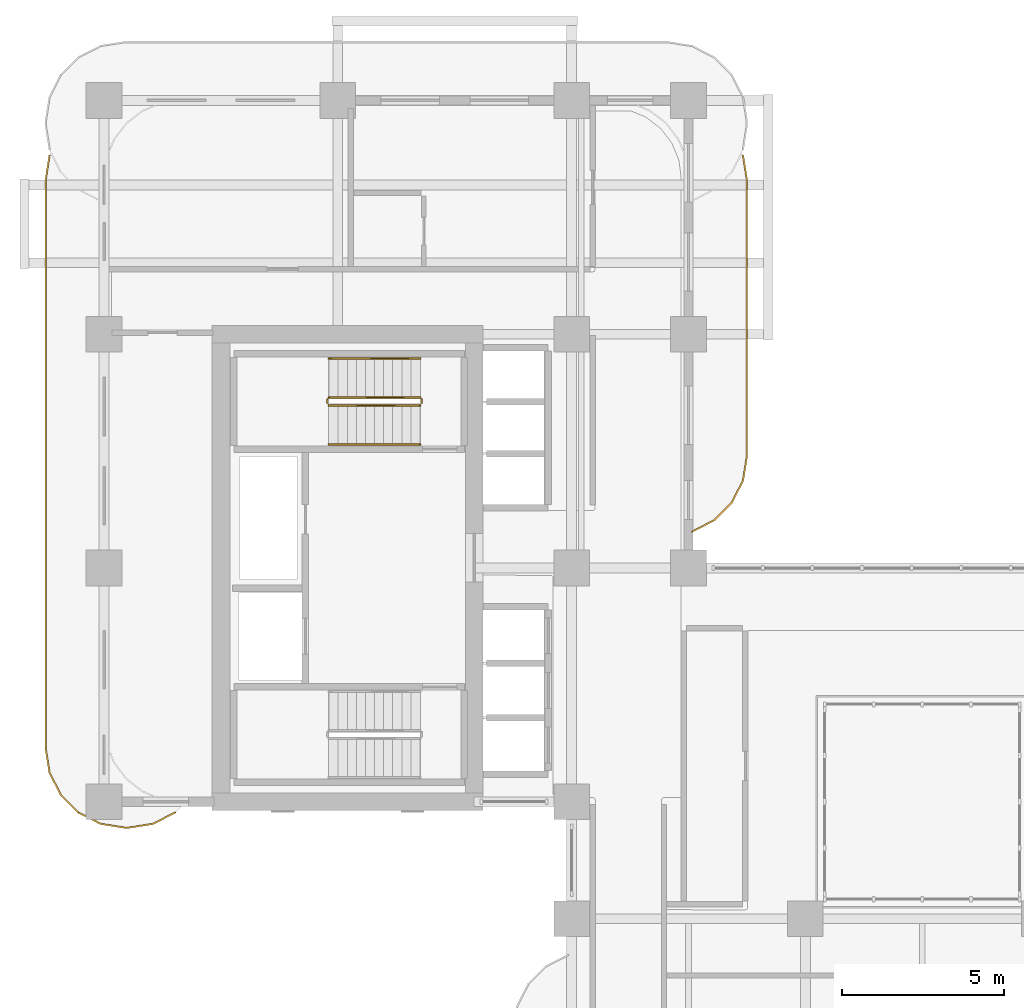
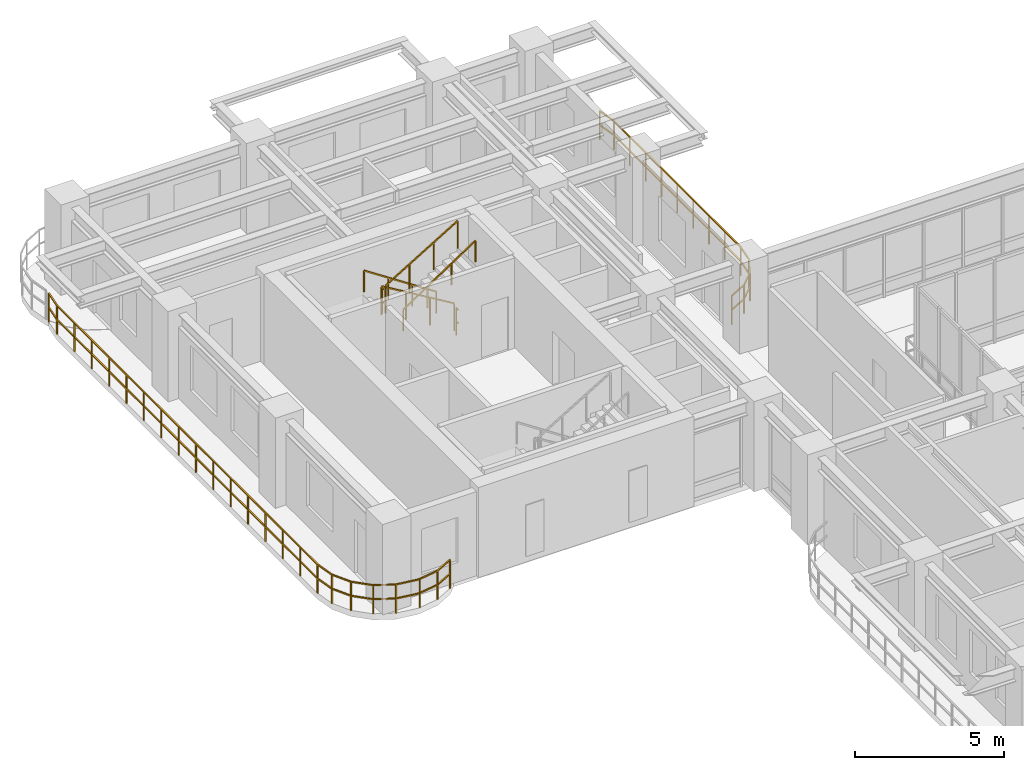
# One storey, part 21 of 22: 8 railings.
"""IFC4 building model written with IfcOpenShell, lengths in metres."""

import ifcopenshell
import ifcopenshell.guid

model = None  # the IFC model being written
_history = None  # IfcOwnerHistory: only IFC2X3 demands one
_inside = {}  # id of a spatial element -> (the spatial element, [elements in it])
_under = {}  # id of a project, library or spatial element -> (it, [spatial elements below it])
_declared = {}  # id of a project -> (the project, [libraries it declares])
_typed = {}  # id of a type object -> (the type object, [elements of that type])
_made_of = {}  # id of a material, layer set ... -> (it, [elements and type objects made of it])


def new_model(schema):
    """Start an empty IFC model of exactly this schema.

    Asked for "IFC4X3", IfcOpenShell would pick the latest addendum, in which some entities
    have other attributes; the version numbers below select the first issue.
    IFC2X3 requires an IfcOwnerHistory on every rooted entity: one is made here for all.
    """
    global model, _history
    if schema == "IFC4X3":
        model = ifcopenshell.file(schema_version=(4, 3, 0, 0))
    else:
        model = ifcopenshell.file(schema=schema)
    _inside.clear()
    _under.clear()
    _declared.clear()
    _typed.clear()
    _made_of.clear()
    _history = None
    if model.schema == "IFC2X3":
        org = make("IfcOrganization", Name="unknown")
        user = make(
            "IfcPersonAndOrganization",
            ThePerson=make("IfcPerson", FamilyName="unknown"),
            TheOrganization=org,
        )
        app = make(
            "IfcApplication",
            ApplicationDeveloper=org,
            Version="unknown",
            ApplicationFullName="unknown",
            ApplicationIdentifier="unknown",
        )
        _history = make(
            "IfcOwnerHistory",
            OwningUser=user,
            OwningApplication=app,
            ChangeAction="ADDED",
            CreationDate=0,
        )
    return model


def make(cls, **values):
    """One entity of the class cls with the attributes given. An attribute that is None is left unset."""
    return model.create_entity(
        cls, **{name: value for name, value in values.items() if value is not None}
    )


def rooted(cls, **values):
    """An entity with a GlobalId (a new one), such as an element, a storey or a relation."""
    return make(cls, GlobalId=ifcopenshell.guid.new(), OwnerHistory=_history, **values)


def si_unit(unit_type, name, prefix=None):
    """IfcSIUnit, for example si_unit("LENGTHUNIT", "METRE", prefix="MILLI")."""
    return make("IfcSIUnit", UnitType=unit_type, Prefix=prefix, Name=name)


def derived_unit(unit_type, elements):
    """IfcDerivedUnit: a product of units, each with its exponent."""
    return make(
        "IfcDerivedUnit",
        Elements=[
            make("IfcDerivedUnitElement", Unit=unit, Exponent=power)
            for unit, power in elements
        ],
        UnitType=unit_type,
    )


def assignment(units):
    """IfcUnitAssignment: the units of a project."""
    return None if units is None else make("IfcUnitAssignment", Units=units)


def point(xyz):
    """IfcCartesianPoint."""
    return None if xyz is None else make("IfcCartesianPoint", Coordinates=xyz)


def direction(xyz):
    """IfcDirection."""
    return None if xyz is None else make("IfcDirection", DirectionRatios=xyz)


def frame(location, z_axis=None, x_axis=None):
    """IfcAxis2Placement3D, a coordinate frame: its origin and axes. An axis left out is left unset."""
    return make(
        "IfcAxis2Placement3D",
        Location=point(location),
        Axis=direction(z_axis),
        RefDirection=direction(x_axis),
    )


def frame_2d(location, x_axis=None):
    """IfcAxis2Placement2D, a coordinate frame in the plane: its origin and x axis."""
    return make(
        "IfcAxis2Placement2D", Location=point(location), RefDirection=direction(x_axis)
    )


def origin():
    """The frame at (0, 0, 0) with its axes left unset."""
    return frame((0.0, 0.0, 0.0))


def origin_2d():
    """The frame at (0, 0) in the plane with its x axis left unset."""
    return frame_2d((0.0, 0.0))


def place(relative_to, where):
    """IfcLocalPlacement: puts the frame where relative to a parent placement (None: the world)."""
    return make(
        "IfcLocalPlacement", PlacementRelTo=relative_to, RelativePlacement=where
    )


def context(
    kind, dimensions, precision=None, world=None, true_north=None, identifier=None
):
    """IfcGeometricRepresentationContext, for example the 3D "Model" context."""
    return make(
        "IfcGeometricRepresentationContext",
        ContextIdentifier=identifier,
        ContextType=kind,
        CoordinateSpaceDimension=dimensions,
        Precision=precision,
        WorldCoordinateSystem=world,
        TrueNorth=true_north,
    )


def subcontext(parent, identifier, kind, view, scale=None):
    """IfcGeometricRepresentationSubContext, for example "Body" below "Model"."""
    return make(
        "IfcGeometricRepresentationSubContext",
        ContextIdentifier=identifier,
        ContextType=kind,
        ParentContext=parent,
        TargetScale=scale,
        TargetView=view,
    )


def project(units=None, contexts=None):
    """IfcProject with its units and contexts."""
    return rooted(
        "IfcProject",
        Name="project",
        RepresentationContexts=contexts,
        UnitsInContext=assignment(units),
    )


def spatial(cls, under=None, at=None, **own):
    """A site, building, storey or space (cls), placed at a placement, below another one or the project."""
    s = rooted(cls, ObjectPlacement=at, **own)
    if under is not None:
        _under.setdefault(under.id(), (under, []))[1].append(s)
    return s


def profile(cls, at=None, kind="AREA", **sizes):
    """A parametric profile (cls). Its sizes go by their IFC names, for example OverallWidth=200.0."""
    return make(cls, ProfileType=kind, Position=at, **sizes)


def rectangle(**sizes):
    """IfcRectangleProfileDef."""
    return profile("IfcRectangleProfileDef", **sizes)


def extrude(swept, where, along, depth):
    """IfcExtrudedAreaSolid: the profile swept, set in the frame where, extruded along a direction by depth."""
    return make(
        "IfcExtrudedAreaSolid",
        SweptArea=swept,
        Position=where,
        ExtrudedDirection=direction(along),
        Depth=depth,
    )


def shape(context_of_items, identifier, shape_type, items):
    """IfcShapeRepresentation: the items that make up one representation, for example the "Body"."""
    return make(
        "IfcShapeRepresentation",
        ContextOfItems=context_of_items,
        RepresentationIdentifier=identifier,
        RepresentationType=shape_type,
        Items=items,
    )


def material(Name=None, Category=None):
    """IfcMaterial."""
    return make("IfcMaterial", Name=Name, Category=Category)


def made_of(thing, what):
    """Note that an element or type object is made of a material, layer set ...; save() writes the relation."""
    if what is not None:
        _made_of.setdefault(what.id(), (what, []))[1].append(thing)
    return thing


def type_object(cls, material=None, **own):
    """A type object (cls), such as IfcWallType, which elements share."""
    return made_of(rooted(cls, **own), material)


def element(
    cls,
    number,
    at=None,
    inside=None,
    cuts=None,
    type_object=None,
    material=None,
    context=None,
    identifier="Body",
    shape_type=None,
    held_by="IfcProductDefinitionShape",
    body=None,
    shapes=None,
    **own,
):
    """One element of the class cls, such as IfcWall. Its Tag is "e" and its number.

    at: its placement. inside: the storey or other place that contains it. cuts: it is an
    opening in that element (IfcRelVoidsElement). A single representation is given by context,
    identifier, shape_type and body (its items); several are given by shapes. held_by: the class
    of the entity that holds the representations. save() writes the other relations.
    """
    e = rooted(cls, Tag="e%d" % number, ObjectPlacement=at, **own)
    if body is not None:
        shapes = [shape(context, identifier, shape_type, body)]
    if shapes is not None:
        e.Representation = make(held_by, Representations=shapes)
    if inside is not None:
        _inside.setdefault(inside.id(), (inside, []))[1].append(e)
    if cuts is not None:
        rooted(
            "IfcRelVoidsElement", RelatingBuildingElement=cuts, RelatedOpeningElement=e
        )
    if type_object is not None:
        _typed.setdefault(type_object.id(), (type_object, []))[1].append(e)
    return made_of(e, material)


def aggregate(whole, parts):
    """IfcRelAggregates: a whole, such as a stair, and the parts it consists of."""
    return rooted("IfcRelAggregates", RelatingObject=whole, RelatedObjects=parts)


def save(model, path):
    """Write the relations noted so far, then the file.

    IfcRelAggregates (storeys below a building ...), IfcRelContainedInSpatialStructure (elements
    in a storey), IfcRelDefinesByType, IfcRelAssociatesMaterial and IfcRelDeclares: one each for
    every whole, place, type object, material and project.
    """
    for whole, parts in _under.values():
        aggregate(whole, parts)
    for where, things in _inside.values():
        rooted(
            "IfcRelContainedInSpatialStructure",
            RelatedElements=things,
            RelatingStructure=where,
        )
    for kind, things in _typed.values():
        rooted("IfcRelDefinesByType", RelatedObjects=things, RelatingType=kind)
    for what, things in _made_of.values():
        rooted("IfcRelAssociatesMaterial", RelatedObjects=things, RelatingMaterial=what)
    for by, libraries in _declared.values():
        rooted("IfcRelDeclares", RelatingContext=by, RelatedDefinitions=libraries)
    model.write(path)


model = new_model("IFC4")

# Units and contexts
model_context = context("Model", 3, precision=1e-05, world=origin(), true_north=direction((0.0, 1.0)))
body_context = subcontext(model_context, "Body", "Model", "MODEL_VIEW")
ifc_project = project(units=[si_unit("LENGTHUNIT", "METRE"), si_unit("AREAUNIT", "SQUARE_METRE"), si_unit("VOLUMEUNIT", "CUBIC_METRE"), si_unit("PLANEANGLEUNIT", "RADIAN"), si_unit("MASSUNIT", "GRAM", prefix="KILO"), si_unit("THERMODYNAMICTEMPERATUREUNIT", "KELVIN"), si_unit("POWERUNIT", "WATT"), derived_unit("THERMALTRANSMITTANCEUNIT", [(si_unit("POWERUNIT", "WATT"), 1), (si_unit("AREAUNIT", "SQUARE_METRE"), -1), (si_unit("THERMODYNAMICTEMPERATUREUNIT", "KELVIN"), -1)])], contexts=[model_context])

# Site, building, storey
site_placement = place(None, origin())
site = spatial("IfcSite", under=ifc_project, at=site_placement, CompositionType="ELEMENT")
building_placement = place(site_placement, origin())
building = spatial("IfcBuilding", under=site, at=building_placement, Name="Zahravan Archway Hotel and Residences", CompositionType="ELEMENT")
storey_placement = place(building_placement, frame((0.0, 0.0, 80.5)))
storey = spatial("IfcBuildingStorey", under=building, at=storey_placement, Name="L19", CompositionType="ELEMENT", Elevation=80.5)

# Railings
ifc_material_1 = material(Name="Bronze & Laminated Glass Balustrade", Category="glass")
railing_type_1 = type_object("IfcRailingType", Name="RL-BAL-1200", PredefinedType="BALUSTRADE", material=ifc_material_1)
railing_1_placement = place(storey_placement, frame((2.190185546875, 24.867919921875, 0.0)))
element("IfcRailing", 1, at=railing_1_placement, inside=storey, type_object=railing_type_1, Name="L19 Balustrade RL-SLB-BAL-L19-WB-1", PredefinedType="BALUSTRADE", context=body_context, shape_type="SweptSolid", body=[
    extrude(rectangle(XDim=0.048095703125, YDim=0.048095703125, at=origin_2d()), frame((0.0, 0.0, 1.17578125), z_axis=(-0.891090529897, -0.453825591531, 0.0), x_axis=(0.453825591531, -0.891090529897, 0.0)), (0.0, 0.0, 1.0), 0.7666015625),
    extrude(rectangle(XDim=0.048095703125, YDim=0.048095703125, at=origin_2d()), frame((0.0, 0.0, 0.60009765625), z_axis=(-0.891090529897, -0.453825591531, 0.0), x_axis=(0.453825591531, -0.891090529897, 0.0)), (0.0, 0.0, 1.0), 0.7666015625),
    extrude(rectangle(XDim=0.048095703125, YDim=0.048095703125, at=origin_2d()), frame((-0.68310546875, -0.347900390625, 1.17578125), z_axis=(-0.987646484274, -0.156698507018, 0.0), x_axis=(0.156698507018, -0.987646484274, 0.0)), (0.0, 0.0, 1.0), 0.7666015625),
    extrude(rectangle(XDim=0.048095703125, YDim=0.048095703125, at=origin_2d()), frame((-0.68310546875, -0.347900390625, 0.60009765625), z_axis=(-0.987646484274, -0.156698507018, 0.0), x_axis=(0.156698507018, -0.987646484274, 0.0)), (0.0, 0.0, 1.0), 0.7666015625),
    extrude(rectangle(XDim=0.048095703125, YDim=0.048095703125, at=origin_2d()), frame((-1.440185546875, -0.468017578125, 1.17578125), z_axis=(-1.0, 0.0, 0.0), x_axis=(0.0, -1.0, 0.0)), (0.0, 0.0, 1.0), 0.10009765625),
    extrude(rectangle(XDim=0.048095703125, YDim=0.048095703125, at=origin_2d()), frame((-1.440185546875, -0.468017578125, 0.60009765625), z_axis=(-1.0, 0.0, 0.0), x_axis=(0.0, -1.0, 0.0)), (0.0, 0.0, 1.0), 0.10009765625),
    extrude(rectangle(XDim=0.048095703125, YDim=0.048095703125, at=origin_2d()), frame((-1.540283203125, -0.468017578125, 1.17578125), z_axis=(-0.987646484274, 0.156698507018, 0.0), x_axis=(-0.156698507018, -0.987646484274, 0.0)), (0.0, 0.0, 1.0), 0.7666015625),
    extrude(rectangle(XDim=0.048095703125, YDim=0.048095703125, at=origin_2d()), frame((-1.540283203125, -0.468017578125, 0.60009765625), z_axis=(-0.987646484274, 0.156698507018, 0.0), x_axis=(-0.156698507018, -0.987646484274, 0.0)), (0.0, 0.0, 1.0), 0.7666015625),
    extrude(rectangle(XDim=0.048095703125, YDim=0.048095703125, at=origin_2d()), frame((-2.29736328125, -0.347900390625, 1.17578125), z_axis=(-0.891024909783, 0.453954414172, 0.0), x_axis=(-0.453954414172, -0.891024909783, 0.0)), (0.0, 0.0, 1.0), 0.766357421875),
    extrude(rectangle(XDim=0.048095703125, YDim=0.048095703125, at=origin_2d()), frame((-2.29736328125, -0.347900390625, 0.60009765625), z_axis=(-0.891024909783, 0.453954414172, 0.0), x_axis=(-0.453954414172, -0.891024909783, 0.0)), (0.0, 0.0, 1.0), 0.766357421875),
    extrude(rectangle(XDim=0.048095703125, YDim=0.048095703125, at=origin_2d()), frame((-2.980224609375, 0.0, 1.17578125), z_axis=(-0.707106781187, 0.707106781187, 0.0), x_axis=(-0.707106781187, -0.707106781187, 0.0)), (0.0, 0.0, 1.0), 0.7666015625),
    extrude(rectangle(XDim=0.048095703125, YDim=0.048095703125, at=origin_2d()), frame((-2.980224609375, 0.0, 0.60009765625), z_axis=(-0.707106781187, 0.707106781187, 0.0), x_axis=(-0.707106781187, -0.707106781187, 0.0)), (0.0, 0.0, 1.0), 0.7666015625),
    extrude(rectangle(XDim=0.048095703125, YDim=0.048095703125, at=origin_2d()), frame((-3.522216796875, 0.5419921875, 1.17578125), z_axis=(-0.454078418624, 0.890961721815, 0.0), x_axis=(-0.890961721815, -0.454078418624, 0.0)), (0.0, 0.0, 1.0), 0.7666015625),
    extrude(rectangle(XDim=0.048095703125, YDim=0.048095703125, at=origin_2d()), frame((-3.522216796875, 0.5419921875, 0.60009765625), z_axis=(-0.454078418624, 0.890961721815, 0.0), x_axis=(-0.890961721815, -0.454078418624, 0.0)), (0.0, 0.0, 1.0), 0.7666015625),
    extrude(rectangle(XDim=0.048095703125, YDim=0.048095703125, at=origin_2d()), frame((-3.870361328125, 1.22509765625, 1.17578125), z_axis=(-0.156387811283, 0.987695728695, 0.0), x_axis=(-0.987695728695, -0.156387811283, 0.0)), (0.0, 0.0, 1.0), 0.7666015625),
    extrude(rectangle(XDim=0.048095703125, YDim=0.048095703125, at=origin_2d()), frame((-3.870361328125, 1.22509765625, 0.60009765625), z_axis=(-0.156387811283, 0.987695728695, 0.0), x_axis=(-0.987695728695, -0.156387811283, 0.0)), (0.0, 0.0, 1.0), 0.7666015625),
    extrude(rectangle(XDim=0.048095703125, YDim=0.048095703125, at=origin_2d()), frame((-3.990234375, 1.982177734375, 1.17578125), z_axis=(0.0, 1.0, 0.0), x_axis=(-1.0, 0.0, 0.0)), (0.0, 0.0, 1.0), 17.5),
    extrude(rectangle(XDim=0.048095703125, YDim=0.048095703125, at=origin_2d()), frame((-3.990234375, 1.982177734375, 0.60009765625), z_axis=(0.0, 1.0, 0.0), x_axis=(-1.0, 0.0, 0.0)), (0.0, 0.0, 1.0), 17.5),
    extrude(rectangle(XDim=0.048095703125, YDim=0.048095703125, at=origin_2d()), frame((-3.990234375, 19.482177734375, 1.17578125), z_axis=(0.156387811283, 0.987695728695, 0.0), x_axis=(-0.987695728695, 0.156387811283, 0.0)), (0.0, 0.0, 1.0), 0.7666015625),
    extrude(rectangle(XDim=0.048095703125, YDim=0.048095703125, at=origin_2d()), frame((-3.990234375, 19.482177734375, 0.60009765625), z_axis=(0.156387811283, 0.987695728695, 0.0), x_axis=(-0.987695728695, 0.156387811283, 0.0)), (0.0, 0.0, 1.0), 0.7666015625),
    extrude(rectangle(XDim=0.0419921875, YDim=0.0419921875, at=origin_2d()), origin(), (0.0, 0.0, 1.0), 1.15185546875),
    extrude(rectangle(XDim=0.0419921875, YDim=0.0419921875, at=origin_2d()), frame((-0.68310546875, -0.347900390625, 0.0)), (0.0, 0.0, 1.0), 1.15185546875),
    extrude(rectangle(XDim=0.0419921875, YDim=0.0419921875, at=origin_2d()), frame((-1.440185546875, -0.468017578125, 0.0)), (0.0, 0.0, 1.0), 1.15185546875),
    extrude(rectangle(XDim=0.0419921875, YDim=0.0419921875, at=origin_2d()), frame((-2.29736328125, -0.347900390625, 0.0)), (0.0, 0.0, 1.0), 1.15185546875),
    extrude(rectangle(XDim=0.0419921875, YDim=0.0419921875, at=origin_2d()), frame((-2.980224609375, 0.0, 0.0)), (0.0, 0.0, 1.0), 1.15185546875),
    extrude(rectangle(XDim=0.0419921875, YDim=0.0419921875, at=origin_2d()), frame((-3.522216796875, 0.5419921875, 0.0)), (0.0, 0.0, 1.0), 1.15185546875),
    extrude(rectangle(XDim=0.0419921875, YDim=0.0419921875, at=origin_2d()), frame((-3.870361328125, 1.22509765625, 0.0)), (0.0, 0.0, 1.0), 1.15185546875),
    extrude(rectangle(XDim=0.0419921875, YDim=0.0419921875, at=origin_2d()), frame((-3.990234375, 1.982177734375, 0.0)), (0.0, 0.0, 1.0), 1.15185546875),
    extrude(rectangle(XDim=0.0419921875, YDim=0.0419921875, at=origin_2d()), frame((-3.990234375, 3.14892578125, 0.0)), (0.0, 0.0, 1.0), 1.15185546875),
    extrude(rectangle(XDim=0.0419921875, YDim=0.0419921875, at=origin_2d()), frame((-3.990234375, 4.3154296875, 0.0)), (0.0, 0.0, 1.0), 1.15185546875),
    extrude(rectangle(XDim=0.0419921875, YDim=0.0419921875, at=origin_2d()), frame((-3.990234375, 5.482177734375, 0.0)), (0.0, 0.0, 1.0), 1.15185546875),
    extrude(rectangle(XDim=0.0419921875, YDim=0.0419921875, at=origin_2d()), frame((-3.990234375, 6.64892578125, 0.0)), (0.0, 0.0, 1.0), 1.15185546875),
    extrude(rectangle(XDim=0.0419921875, YDim=0.0419921875, at=origin_2d()), frame((-3.990234375, 7.8154296875, 0.0)), (0.0, 0.0, 1.0), 1.15185546875),
    extrude(rectangle(XDim=0.0419921875, YDim=0.0419921875, at=origin_2d()), frame((-3.990234375, 8.982177734375, 0.0)), (0.0, 0.0, 1.0), 1.15185546875),
    extrude(rectangle(XDim=0.0419921875, YDim=0.0419921875, at=origin_2d()), frame((-3.990234375, 10.14892578125, 0.0)), (0.0, 0.0, 1.0), 1.15185546875),
    extrude(rectangle(XDim=0.0419921875, YDim=0.0419921875, at=origin_2d()), frame((-3.990234375, 11.3154296875, 0.0)), (0.0, 0.0, 1.0), 1.15185546875),
    extrude(rectangle(XDim=0.0419921875, YDim=0.0419921875, at=origin_2d()), frame((-3.990234375, 12.482177734375, 0.0)), (0.0, 0.0, 1.0), 1.15185546875),
    extrude(rectangle(XDim=0.0419921875, YDim=0.0419921875, at=origin_2d()), frame((-3.990234375, 13.64892578125, 0.0)), (0.0, 0.0, 1.0), 1.15185546875),
    extrude(rectangle(XDim=0.0419921875, YDim=0.0419921875, at=origin_2d()), frame((-3.990234375, 14.8154296875, 0.0)), (0.0, 0.0, 1.0), 1.15185546875),
    extrude(rectangle(XDim=0.0419921875, YDim=0.0419921875, at=origin_2d()), frame((-3.990234375, 15.982177734375, 0.0)), (0.0, 0.0, 1.0), 1.15185546875),
    extrude(rectangle(XDim=0.0419921875, YDim=0.0419921875, at=origin_2d()), frame((-3.990234375, 17.14892578125, 0.0)), (0.0, 0.0, 1.0), 1.15185546875),
    extrude(rectangle(XDim=0.0419921875, YDim=0.0419921875, at=origin_2d()), frame((-3.990234375, 18.3154296875, 0.0)), (0.0, 0.0, 1.0), 1.15185546875),
    extrude(rectangle(XDim=0.0419921875, YDim=0.0419921875, at=origin_2d()), frame((-3.990234375, 19.482177734375, 0.0)), (0.0, 0.0, 1.0), 1.15185546875),
    extrude(rectangle(XDim=0.0419921875, YDim=0.0419921875, at=origin_2d()), frame((-3.870361328125, 20.2392578125, 0.0)), (0.0, 0.0, 1.0), 1.15185546875),
])
railing_2_placement = place(storey_placement, frame((19.68017578125, 45.107177734375, 0.0)))
element("IfcRailing", 2, at=railing_2_placement, inside=storey, type_object=railing_type_1, Name="L19 Balustrade RL-SLB-BAL-L19-EB-1", PredefinedType="BALUSTRADE", context=body_context, shape_type="SweptSolid", body=[
    extrude(rectangle(XDim=0.048095703125, YDim=0.048095703125, at=origin_2d()), frame((0.0, 0.0, 1.17578125), z_axis=(0.156387811283, -0.987695728695, 0.0), x_axis=(0.987695728695, 0.156387811283, 0.0)), (0.0, 0.0, 1.0), 0.7666015625),
    extrude(rectangle(XDim=0.048095703125, YDim=0.048095703125, at=origin_2d()), frame((0.0, 0.0, 0.60009765625), z_axis=(0.156387811283, -0.987695728695, 0.0), x_axis=(0.987695728695, 0.156387811283, 0.0)), (0.0, 0.0, 1.0), 0.7666015625),
    extrude(rectangle(XDim=0.048095703125, YDim=0.048095703125, at=origin_2d()), frame((0.119873046875, -0.757080078125, 1.17578125), z_axis=(0.0, -1.0, 0.0), x_axis=(1.0, 0.0, 0.0)), (0.0, 0.0, 1.0), 8.5),
    extrude(rectangle(XDim=0.048095703125, YDim=0.048095703125, at=origin_2d()), frame((0.119873046875, -0.757080078125, 0.60009765625), z_axis=(0.0, -1.0, 0.0), x_axis=(1.0, 0.0, 0.0)), (0.0, 0.0, 1.0), 8.5),
    extrude(rectangle(XDim=0.048095703125, YDim=0.048095703125, at=origin_2d()), frame((0.119873046875, -9.257080078125, 1.17578125), z_axis=(-0.156387811283, -0.987695728695, 0.0), x_axis=(0.987695728695, -0.156387811283, 0.0)), (0.0, 0.0, 1.0), 0.7666015625),
    extrude(rectangle(XDim=0.048095703125, YDim=0.048095703125, at=origin_2d()), frame((0.119873046875, -9.257080078125, 0.60009765625), z_axis=(-0.156387811283, -0.987695728695, 0.0), x_axis=(0.987695728695, -0.156387811283, 0.0)), (0.0, 0.0, 1.0), 0.7666015625),
    extrude(rectangle(XDim=0.048095703125, YDim=0.048095703125, at=origin_2d()), frame((0.0, -10.01416015625, 1.17578125), z_axis=(-0.454078418624, -0.890961721815, 0.0), x_axis=(0.890961721815, -0.454078418624, 0.0)), (0.0, 0.0, 1.0), 0.7666015625),
    extrude(rectangle(XDim=0.048095703125, YDim=0.048095703125, at=origin_2d()), frame((0.0, -10.01416015625, 0.60009765625), z_axis=(-0.454078418624, -0.890961721815, 0.0), x_axis=(0.890961721815, -0.454078418624, 0.0)), (0.0, 0.0, 1.0), 0.7666015625),
    extrude(rectangle(XDim=0.048095703125, YDim=0.048095703125, at=origin_2d()), frame((-0.34814453125, -10.697265625, 1.17578125), z_axis=(-0.707106781187, -0.707106781187, 0.0), x_axis=(0.707106781187, -0.707106781187, 0.0)), (0.0, 0.0, 1.0), 0.7666015625),
    extrude(rectangle(XDim=0.048095703125, YDim=0.048095703125, at=origin_2d()), frame((-0.34814453125, -10.697265625, 0.60009765625), z_axis=(-0.707106781187, -0.707106781187, 0.0), x_axis=(0.707106781187, -0.707106781187, 0.0)), (0.0, 0.0, 1.0), 0.7666015625),
    extrude(rectangle(XDim=0.048095703125, YDim=0.048095703125, at=origin_2d()), frame((-0.89013671875, -11.2392578125, 1.17578125), z_axis=(-0.891024909783, -0.453954414172, 0.0), x_axis=(0.453954414172, -0.891024909783, 0.0)), (0.0, 0.0, 1.0), 0.766357421875),
    extrude(rectangle(XDim=0.048095703125, YDim=0.048095703125, at=origin_2d()), frame((-0.89013671875, -11.2392578125, 0.60009765625), z_axis=(-0.891024909783, -0.453954414172, 0.0), x_axis=(0.453954414172, -0.891024909783, 0.0)), (0.0, 0.0, 1.0), 0.766357421875),
    extrude(rectangle(XDim=0.0419921875, YDim=0.0419921875, at=origin_2d()), origin(), (0.0, 0.0, 1.0), 1.15185546875),
    extrude(rectangle(XDim=0.0419921875, YDim=0.0419921875, at=origin_2d()), frame((0.119873046875, -0.757080078125, 0.0)), (0.0, 0.0, 1.0), 1.15185546875),
    extrude(rectangle(XDim=0.0419921875, YDim=0.0419921875, at=origin_2d()), frame((0.119873046875, -1.819580078125, 0.0)), (0.0, 0.0, 1.0), 1.15185546875),
    extrude(rectangle(XDim=0.0419921875, YDim=0.0419921875, at=origin_2d()), frame((0.119873046875, -2.882080078125, 0.0)), (0.0, 0.0, 1.0), 1.15185546875),
    extrude(rectangle(XDim=0.0419921875, YDim=0.0419921875, at=origin_2d()), frame((0.119873046875, -3.944580078125, 0.0)), (0.0, 0.0, 1.0), 1.15185546875),
    extrude(rectangle(XDim=0.0419921875, YDim=0.0419921875, at=origin_2d()), frame((0.119873046875, -5.007080078125, 0.0)), (0.0, 0.0, 1.0), 1.15185546875),
    extrude(rectangle(XDim=0.0419921875, YDim=0.0419921875, at=origin_2d()), frame((0.119873046875, -6.069580078125, 0.0)), (0.0, 0.0, 1.0), 1.15185546875),
    extrude(rectangle(XDim=0.0419921875, YDim=0.0419921875, at=origin_2d()), frame((0.119873046875, -7.132080078125, 0.0)), (0.0, 0.0, 1.0), 1.15185546875),
    extrude(rectangle(XDim=0.0419921875, YDim=0.0419921875, at=origin_2d()), frame((0.119873046875, -8.194580078125, 0.0)), (0.0, 0.0, 1.0), 1.15185546875),
    extrude(rectangle(XDim=0.0419921875, YDim=0.0419921875, at=origin_2d()), frame((0.119873046875, -9.257080078125, 0.0)), (0.0, 0.0, 1.0), 1.15185546875),
    extrude(rectangle(XDim=0.0419921875, YDim=0.0419921875, at=origin_2d()), frame((0.0, -10.01416015625, 0.0)), (0.0, 0.0, 1.0), 1.15185546875),
    extrude(rectangle(XDim=0.0419921875, YDim=0.0419921875, at=origin_2d()), frame((-0.34814453125, -10.697265625, 0.0)), (0.0, 0.0, 1.0), 1.15185546875),
    extrude(rectangle(XDim=0.0419921875, YDim=0.0419921875, at=origin_2d()), frame((-0.89013671875, -11.2392578125, 0.0)), (0.0, 0.0, 1.0), 1.15185546875),
    extrude(rectangle(XDim=0.0419921875, YDim=0.0419921875, at=origin_2d()), frame((-1.572998046875, -11.587158203125, 0.0)), (0.0, 0.0, 1.0), 1.15185546875),
])
ifc_material_2 = material(Name="Painted Tubular Steel", Category="steel")
railing_type_2 = type_object("IfcRailingType", Name="RL-STG-1150", PredefinedType="GUARDRAIL", material=ifc_material_2)
railing_3_placement = place(storey_placement, frame((9.72998046875, 37.64990234375, 0.168212890625)))
element("IfcRailing", 3, at=railing_3_placement, inside=storey, type_object=railing_type_2, Name="L19 ST-B2 stair guard 1", PredefinedType="GUARDRAIL", context=body_context, shape_type="SweptSolid", body=[
    extrude(rectangle(XDim=0.048095703125, YDim=0.048095703125, at=origin_2d()), frame((0.0, 0.0, 1.1259765625), z_axis=(-0.857242210791, 0.0, 0.514913383045), x_axis=(0.0, -1.0, 0.0)), (0.0, 0.0, 1.0), 3.266357421875),
    extrude(rectangle(XDim=0.0419921875, YDim=0.0419921875, at=origin_2d()), origin(), (0.0, 0.0, 1.0), 1.101806640625),
    extrude(rectangle(XDim=0.0419921875, YDim=0.0419921875, at=origin_2d()), frame((-0.933349609375, 0.0, 0.560546875)), (0.0, 0.0, 1.0), 1.101806640625),
    extrude(rectangle(XDim=0.0419921875, YDim=0.0419921875, at=origin_2d()), frame((-1.86669921875, 0.0, 1.121337890625)), (0.0, 0.0, 1.0), 1.101806640625),
    extrude(rectangle(XDim=0.0419921875, YDim=0.0419921875, at=origin_2d()), frame((-2.800048828125, 0.0, 1.681884765625)), (0.0, 0.0, 1.0), 1.101806640625),
])
railing_4_placement = place(storey_placement, frame((6.8798828125, 37.60009765625, 1.85009765625)))
element("IfcRailing", 4, at=railing_4_placement, inside=storey, type_object=railing_type_2, Name="L19 ST-B2 stair guard 2", PredefinedType="GUARDRAIL", context=body_context, shape_type="SweptSolid", body=[
    extrude(rectangle(XDim=0.048095703125, YDim=0.048095703125, at=origin_2d()), frame((0.0, 0.0, 1.1259765625), z_axis=(0.0, -1.0, 0.0), x_axis=(1.0, 0.0, 0.0)), (0.0, 0.0, 1.0), 0.14013671875),
    extrude(rectangle(XDim=0.048095703125, YDim=0.048095703125, at=origin_2d()), frame((0.0, 0.0, 0.574951171875), z_axis=(0.0, -1.0, 0.0), x_axis=(1.0, 0.0, 0.0)), (0.0, 0.0, 1.0), 0.14013671875),
    extrude(rectangle(XDim=0.0419921875, YDim=0.0419921875, at=origin_2d()), origin(), (0.0, 0.0, 1.0), 1.101806640625),
])
railing_5_placement = place(storey_placement, frame((6.929931640625, 37.409912109375, 2.01806640625)))
element("IfcRailing", 5, at=railing_5_placement, inside=storey, type_object=railing_type_2, Name="L19 ST-B2 stair guard 3", PredefinedType="GUARDRAIL", context=body_context, shape_type="SweptSolid", body=[
    extrude(rectangle(XDim=0.048095703125, YDim=0.048095703125, at=origin_2d()), frame((0.0, 0.0, 1.1259765625), z_axis=(0.857242210791, 0.0, 0.514913383045), x_axis=(0.0, 1.0, 0.0)), (0.0, 0.0, 1.0), 3.266357421875),
    extrude(rectangle(XDim=0.0419921875, YDim=0.0419921875, at=origin_2d()), origin(), (0.0, 0.0, 1.0), 1.101806640625),
    extrude(rectangle(XDim=0.0419921875, YDim=0.0419921875, at=origin_2d()), frame((0.933349609375, 0.0, 0.560546875)), (0.0, 0.0, 1.0), 1.101806640625),
    extrude(rectangle(XDim=0.0419921875, YDim=0.0419921875, at=origin_2d()), frame((1.86669921875, 0.0, 1.121337890625)), (0.0, 0.0, 1.0), 1.101806640625),
    extrude(rectangle(XDim=0.0419921875, YDim=0.0419921875, at=origin_2d()), frame((2.800048828125, 0.0, 1.681884765625)), (0.0, 0.0, 1.0), 1.101806640625),
])
railing_6_placement = place(storey_placement, frame((9.780029296875, 37.60009765625, 0.0)))
element("IfcRailing", 6, at=railing_6_placement, inside=storey, type_object=railing_type_2, Name="L19 ST-B2 stair guard 4", PredefinedType="GUARDRAIL", context=body_context, shape_type="SweptSolid", body=[
    extrude(rectangle(XDim=0.048095703125, YDim=0.048095703125, at=origin_2d()), frame((0.0, 0.0, 1.1259765625), z_axis=(0.0, -1.0, 0.0), x_axis=(1.0, 0.0, 0.0)), (0.0, 0.0, 1.0), 0.14013671875),
    extrude(rectangle(XDim=0.048095703125, YDim=0.048095703125, at=origin_2d()), frame((0.0, 0.0, 0.574951171875), z_axis=(0.0, -1.0, 0.0), x_axis=(1.0, 0.0, 0.0)), (0.0, 0.0, 1.0), 0.14013671875),
    extrude(rectangle(XDim=0.0419921875, YDim=0.0419921875, at=origin_2d()), origin(), (0.0, 0.0, 1.0), 1.101806640625),
])
ifc_material_3 = material(Name="Brushed Stainless Steel", Category="steel")
railing_type_3 = type_object("IfcRailingType", Name="RL-STH-900", PredefinedType="HANDRAIL", material=ifc_material_3)
railing_7_placement = place(storey_placement, frame((9.72998046875, 38.85009765625, 0.168212890625)))
element("IfcRailing", 7, at=railing_7_placement, inside=storey, type_object=railing_type_3, Name="L19 ST-B2 stair handrail 1", PredefinedType="HANDRAIL", context=body_context, shape_type="SweptSolid", body=[
    extrude(rectangle(XDim=0.048095703125, YDim=0.048095703125, at=origin_2d()), frame((0.0, 0.0, 0.8759765625), z_axis=(-0.83435981716, 0.0, 0.551220187865), x_axis=(0.0, -1.0, 0.0)), (0.0, 0.0, 1.0), 3.35595703125),
    extrude(rectangle(XDim=0.0419921875, YDim=0.0419921875, at=origin_2d()), origin(), (0.0, 0.0, 1.0), 0.851806640625),
    extrude(rectangle(XDim=0.0419921875, YDim=0.0419921875, at=origin_2d()), frame((-0.933349609375, 0.0, 0.61669921875)), (0.0, 0.0, 1.0), 0.851806640625),
    extrude(rectangle(XDim=0.0419921875, YDim=0.0419921875, at=origin_2d()), frame((-1.86669921875, 0.0, 1.233154296875)), (0.0, 0.0, 1.0), 0.851806640625),
    extrude(rectangle(XDim=0.0419921875, YDim=0.0419921875, at=origin_2d()), frame((-2.800048828125, 0.0, 1.849853515625)), (0.0, 0.0, 1.0), 0.851806640625),
])
railing_8_placement = place(storey_placement, frame((6.929931640625, 36.2099609375, 2.01806640625)))
element("IfcRailing", 8, at=railing_8_placement, inside=storey, type_object=railing_type_3, Name="L19 ST-B2 stair handrail 2", PredefinedType="HANDRAIL", context=body_context, shape_type="SweptSolid", body=[
    extrude(rectangle(XDim=0.048095703125, YDim=0.048095703125, at=origin_2d()), frame((0.0, 0.0, 0.8759765625), z_axis=(0.834326358476, 0.0, 0.551270829586), x_axis=(0.0, 1.0, 0.0)), (0.0, 0.0, 1.0), 3.35595703125),
    extrude(rectangle(XDim=0.0419921875, YDim=0.0419921875, at=origin_2d()), origin(), (0.0, 0.0, 1.0), 0.851806640625),
    extrude(rectangle(XDim=0.0419921875, YDim=0.0419921875, at=origin_2d()), frame((0.933349609375, 0.0, 0.61669921875)), (0.0, 0.0, 1.0), 0.851806640625),
    extrude(rectangle(XDim=0.0419921875, YDim=0.0419921875, at=origin_2d()), frame((1.86669921875, 0.0, 1.2333984375)), (0.0, 0.0, 1.0), 0.851806640625),
    extrude(rectangle(XDim=0.0419921875, YDim=0.0419921875, at=origin_2d()), frame((2.800048828125, 0.0, 1.85009765625)), (0.0, 0.0, 1.0), 0.851806640625),
])

save(model, "model.ifc")
